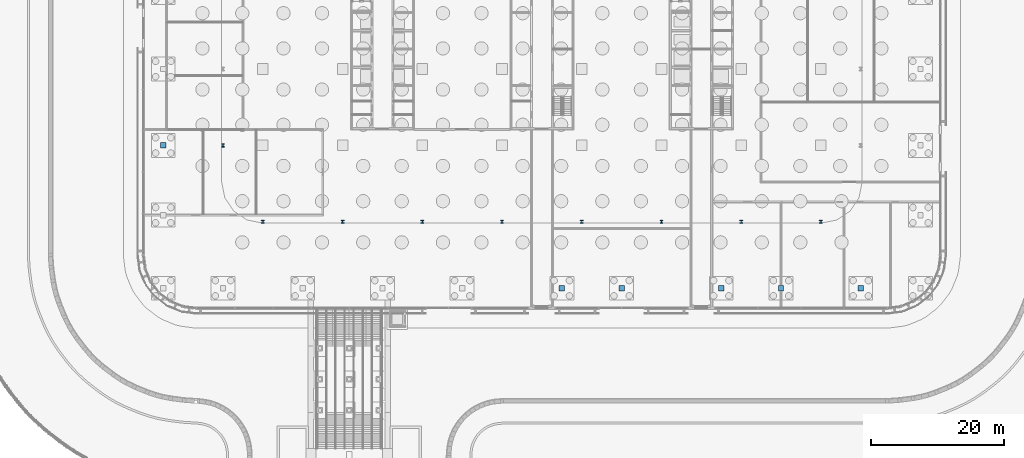
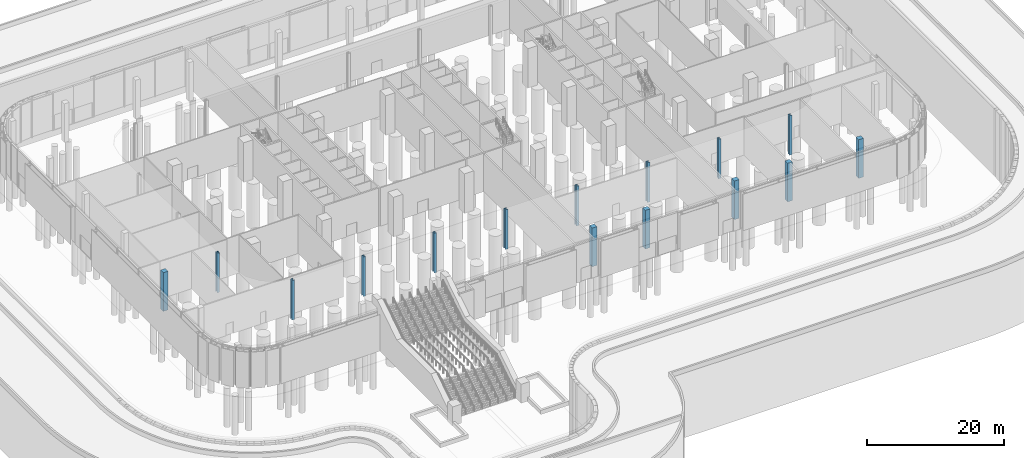
# One storey, part 3 of 48: 15 columns.
"""IFC4 building model written with IfcOpenShell, lengths in metres."""

from ifc_helpers import new_model, si_unit, direction, frame, origin, origin_2d, place, context, subcontext, project, spatial, rectangle, i_section, extrude, material, material_profile, profile_set, type_object, element, save


model = new_model("IFC4")

# Units and contexts
model_context = context("Model", 3, precision=1e-05, world=origin(), true_north=direction((0.0, 1.0)))
body_context = subcontext(model_context, "Body", "Model", "MODEL_VIEW")
ifc_project = project(units=[si_unit("LENGTHUNIT", "METRE"), si_unit("AREAUNIT", "SQUARE_METRE"), si_unit("VOLUMEUNIT", "CUBIC_METRE"), si_unit("PLANEANGLEUNIT", "RADIAN"), si_unit("MASSUNIT", "GRAM", prefix="KILO")], contexts=[model_context])

# Site, building, storey
site_placement = place(None, origin())
site = spatial("IfcSite", under=ifc_project, at=site_placement, CompositionType="ELEMENT")
building_placement = place(site_placement, origin())
building = spatial("IfcBuilding", under=site, at=building_placement, Name="Mahtab Terrace Research Tower", CompositionType="ELEMENT")
storey_placement = place(building_placement, origin())
storey = spatial("IfcBuildingStorey", under=building, at=storey_placement, Name="G", CompositionType="ELEMENT", Elevation=0.0)

# Columns
ifc_material_1 = material(Name="Concrete C70/85", Category="concrete")
ifc_material_profile_1 = material_profile(ifc_material_1, rectangle(XDim=0.800048828125, YDim=0.800048828125, at=origin_2d()), Name="RC column 800 deck")
ifc_profile_set_1 = profile_set([ifc_material_profile_1], Name="Concrete C70/85")
column_type_1 = type_object("IfcColumnType", Name="RC column 800 deck", PredefinedType="COLUMN", material=ifc_profile_set_1)
for number, where, z_axis, x_axis, name in (
    (1, (3.0, -33.0, -0.199951171875), (0.0, 0.0, 1.0), (1.0, 0.0, 0.0), "Deck column DC-06"),
    (2, (12.0, -33.0, -0.199951171875), (0.0, 0.0, 1.0), (1.0, 0.0, 0.0), "Deck column DC-07"),
    (3, (27.0, -33.0, -0.199951171875), (0.0, 0.0, 1.0), (1.0, 0.0, 0.0), "Deck column DC-08"),
    (4, (36.0, -33.0, -0.199951171875), (0.0, 0.0, 1.0), (1.0, 0.0, 0.0), "Deck column DC-09"),
    (5, (48.0, -33.0, -0.199951171875), (0.0, 0.0, 1.0), (1.0, 0.0, 0.0), "Deck column DC-10"),
    (6, (-57.0, -11.5, -0.199951171875), (0.0, 0.0, 1.0), (1.0, 0.0, 0.0), "Deck column DC-24"),
):
    element("IfcColumn", number, at=place(storey_placement, frame(where, z_axis=z_axis, x_axis=x_axis)), inside=storey, type_object=column_type_1, Name=name, PredefinedType="COLUMN", context=body_context, shape_type="SweptSolid", body=[
        extrude(rectangle(XDim=0.800048828125, YDim=0.800048828125, at=origin_2d()), origin(), (0.0, 0.0, 1.0), 6.89990234375),
    ])
ifc_material_2 = material(Name="Steel ASTM A992 Gr 50", Category="steel")
ifc_material_profile_2 = material_profile(ifc_material_2, i_section(OverallWidth=0.431884765625, OverallDepth=0.497802734375, WebThickness=0.0556640625, FlangeThickness=0.0888671875, at=origin_2d()), Name="W14X500")
ifc_profile_set_2 = profile_set([ifc_material_profile_2], Name="Steel ASTM A992 Gr 50")
column_type_2 = type_object("IfcColumnType", Name="W14x500 column CS14500", PredefinedType="COLUMN", material=ifc_profile_set_2)
for number, where, z_axis, x_axis, name in (
    (7, (-48.0, -11.5, -0.199951171875), (0.0, 0.0, 1.0), (1.0, 0.0, 0.0), "Column SC-011 G"),
    (8, (-42.0, -23.0, -0.199951171875), (0.0, 0.0, 1.0), (1.0, 0.0, 0.0), "Column SC-012 G"),
    (9, (-30.0, -23.0, -0.199951171875), (0.0, 0.0, 1.0), (1.0, 0.0, 0.0), "Column SC-013 G"),
    (10, (-18.0, -23.0, -0.199951171875), (0.0, 0.0, 1.0), (1.0, 0.0, 0.0), "Column SC-014 G"),
    (11, (-6.0, -23.0, -0.199951171875), (0.0, 0.0, 1.0), (1.0, 0.0, 0.0), "Column SC-015 G"),
    (12, (6.0, -23.0, -0.199951171875), (0.0, 0.0, 1.0), (1.0, 0.0, 0.0), "Column SC-016 G"),
    (13, (18.0, -23.0, -0.199951171875), (0.0, 0.0, 1.0), (1.0, 0.0, 0.0), "Column SC-017 G"),
    (14, (30.0, -23.0, -0.199951171875), (0.0, 0.0, 1.0), (1.0, 0.0, 0.0), "Column SC-018 G"),
    (15, (42.0, -23.0, -0.199951171875), (0.0, 0.0, 1.0), (1.0, 0.0, 0.0), "Column SC-019 G"),
):
    element("IfcColumn", number, at=place(storey_placement, frame(where, z_axis=z_axis, x_axis=x_axis)), inside=storey, type_object=column_type_2, Name=name, PredefinedType="COLUMN", context=body_context, shape_type="SweptSolid", body=[
        extrude(i_section(OverallWidth=0.431884765625, OverallDepth=0.497802734375, WebThickness=0.0556640625, FlangeThickness=0.0888671875, at=origin_2d()), origin(), (0.0, 0.0, 1.0), 7.06005859375),
    ])

save(model, "model.ifc")
